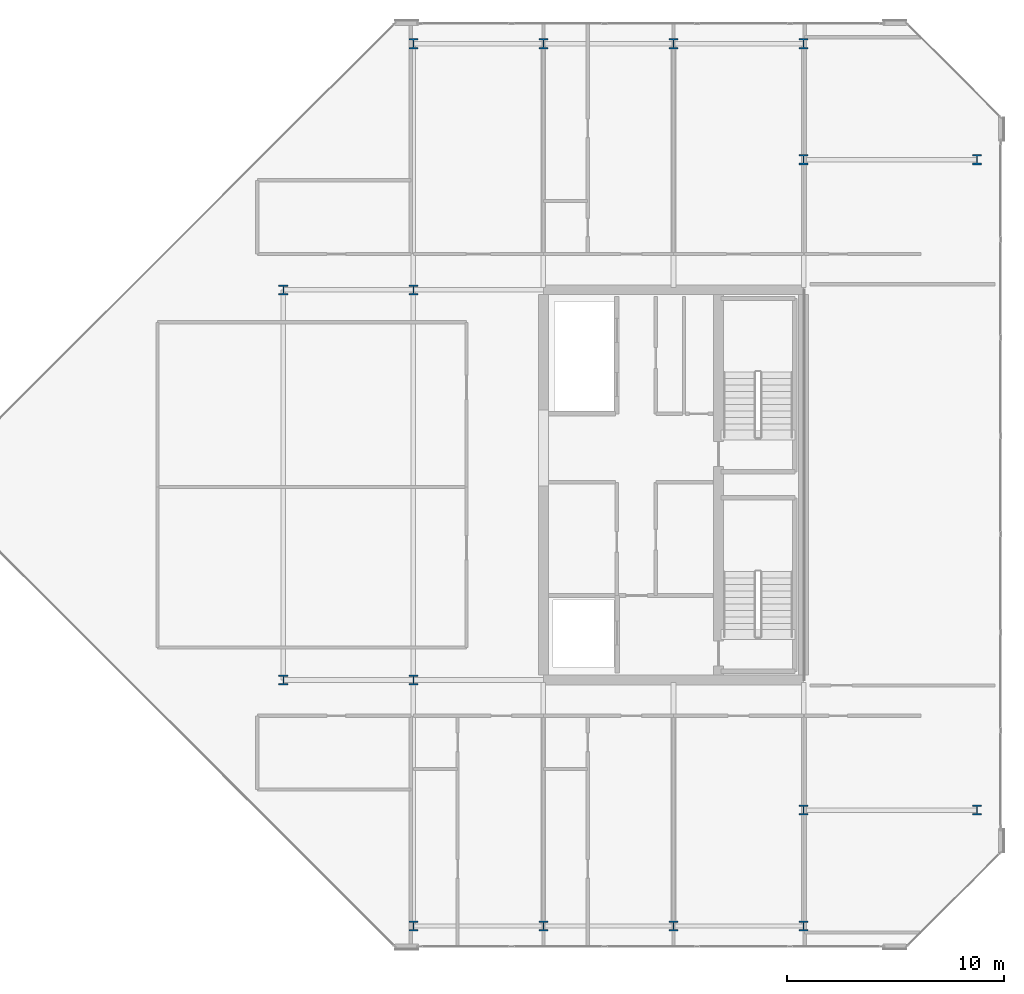
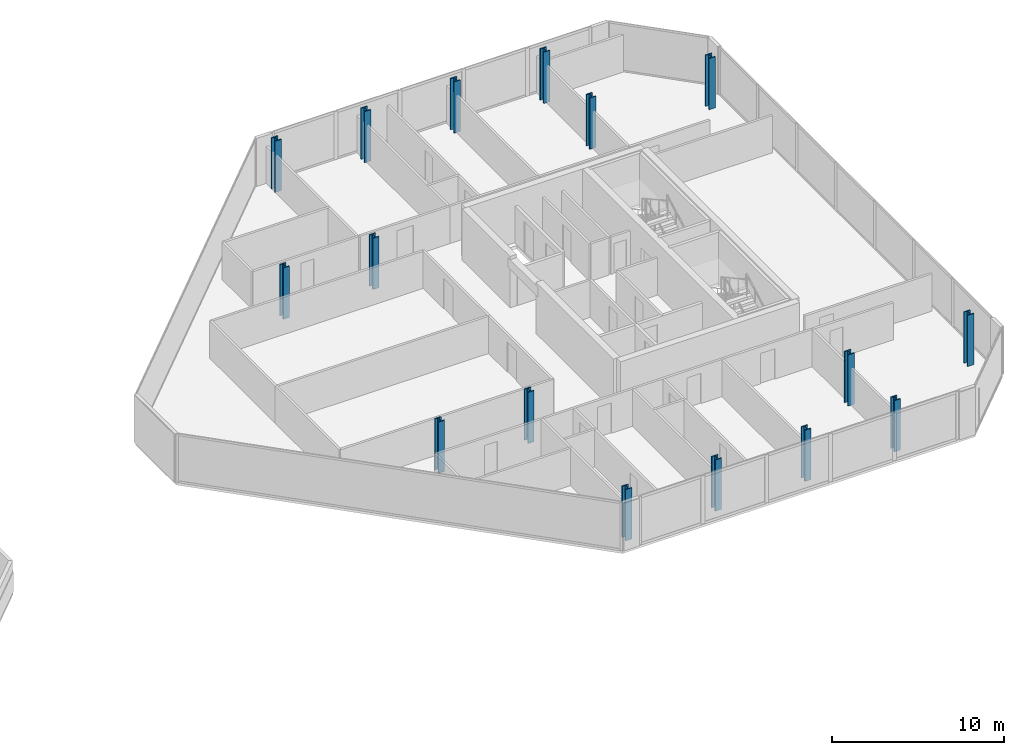
# One storey, part 1 of 19: 16 columns.
"""IFC4 building model written with IfcOpenShell, lengths in metres."""

from ifc_helpers import new_model, si_unit, direction, frame, origin, origin_2d, place, context, subcontext, project, spatial, i_section, extrude, material, material_profile, profile_set, type_object, element, save


model = new_model("IFC4")

# Units and contexts
model_context = context("Model", 3, precision=1e-05, world=origin(), true_north=direction((0.0, 1.0)))
body_context = subcontext(model_context, "Body", "Model", "MODEL_VIEW")
ifc_project = project(units=[si_unit("LENGTHUNIT", "METRE"), si_unit("AREAUNIT", "SQUARE_METRE"), si_unit("VOLUMEUNIT", "CUBIC_METRE"), si_unit("PLANEANGLEUNIT", "RADIAN"), si_unit("MASSUNIT", "GRAM", prefix="KILO")], contexts=[model_context])

# Site, building, storey
site_placement = place(None, origin())
site = spatial("IfcSite", under=ifc_project, at=site_placement, CompositionType="ELEMENT")
building_placement = place(site_placement, origin())
building = spatial("IfcBuilding", under=site, at=building_placement, Name="Tanjung Sevakor Pilgrim Tower", CompositionType="ELEMENT")
storey_placement = place(building_placement, frame((0.0, 0.0, 260.699951171875)))
storey = spatial("IfcBuildingStorey", under=building, at=storey_placement, Name="L73", CompositionType="ELEMENT", Elevation=260.699951171875)

# Columns
ifc_material = material(Name="Steel S460M", Category="steel")
ifc_material_profile = material_profile(ifc_material, i_section(OverallWidth=0.4208984375, OverallDepth=0.465087890625, WebThickness=0.044921875, FlangeThickness=0.070068359375, FilletRadius=0.014892578125, at=origin_2d()))
ifc_profile_set = profile_set([ifc_material_profile], Name="Steel S460M")
column_type = type_object("IfcColumnType", Name="COL-C-S592-HD_400x592", PredefinedType="COLUMN", material=ifc_profile_set)
for number, where, z_axis, x_axis, name in (
    (1, (66.0, 24.60009765625, 0.0), (0.0, 0.0, 1.0), (1.0, 0.0, 0.0), "L73 Column SPE-066-246"),
    (2, (66.0, 42.60009765625, 0.0), (0.0, 0.0, 1.0), (1.0, 0.0, 0.0), "L73 Column SPE-066-426"),
    (3, (72.0, 24.60009765625, 0.0), (0.0, 0.0, 1.0), (1.0, 0.0, 0.0), "L73 Column SPE-072-246"),
    (4, (72.0, 42.60009765625, 0.0), (0.0, 0.0, 1.0), (1.0, 0.0, 0.0), "L73 Column SPE-072-426"),
    (5, (90.0, 18.60009765625, 0.0), (0.0, 0.0, 1.0), (1.0, 0.0, 0.0), "L73 Column TCE-0900-186"),
    (6, (90.0, 48.60009765625, 0.0), (0.0, 0.0, 1.0), (1.0, 0.0, 0.0), "L73 Column TCE-0900-486"),
    (7, (98.0, 18.60009765625, 0.0), (0.0, 0.0, 1.0), (1.0, 0.0, 0.0), "L73 Column TCE-0980-186"),
    (8, (98.0, 48.60009765625, 0.0), (0.0, 0.0, 1.0), (1.0, 0.0, 0.0), "L73 Column TCE-0980-486"),
    (9, (72.0, 13.25, 0.0), (0.0, 0.0, 1.0), (1.0, 0.0, 0.0), "L73 Column TC4-072-132"),
    (10, (72.0, 53.949951171875, 0.0), (0.0, 0.0, 1.0), (1.0, 0.0, 0.0), "L73 Column TC4-072-540"),
    (11, (78.0, 13.25, 0.0), (0.0, 0.0, 1.0), (1.0, 0.0, 0.0), "L73 Column TC4-078-132"),
    (12, (78.0, 53.949951171875, 0.0), (0.0, 0.0, 1.0), (1.0, 0.0, 0.0), "L73 Column TC4-078-540"),
    (13, (84.0, 13.25, 0.0), (0.0, 0.0, 1.0), (1.0, 0.0, 0.0), "L73 Column TC4-084-132"),
    (14, (84.0, 53.949951171875, 0.0), (0.0, 0.0, 1.0), (1.0, 0.0, 0.0), "L73 Column TC4-084-540"),
    (15, (90.0, 13.25, 0.0), (0.0, 0.0, 1.0), (1.0, 0.0, 0.0), "L73 Column TC4-090-132"),
    (16, (90.0, 53.949951171875, 0.0), (0.0, 0.0, 1.0), (1.0, 0.0, 0.0), "L73 Column TC4-090-540"),
):
    element("IfcColumn", number, at=place(storey_placement, frame(where, z_axis=z_axis, x_axis=x_axis)), inside=storey, type_object=column_type, Name=name, PredefinedType="COLUMN", context=body_context, shape_type="SweptSolid", body=[
        extrude(i_section(OverallWidth=0.4208984375, OverallDepth=0.465087890625, WebThickness=0.044921875, FlangeThickness=0.070068359375, FilletRadius=0.014892578125, at=origin_2d()), origin(), (0.0, 0.0, 1.0), 3.630126953125),
    ])

save(model, "model.ifc")
